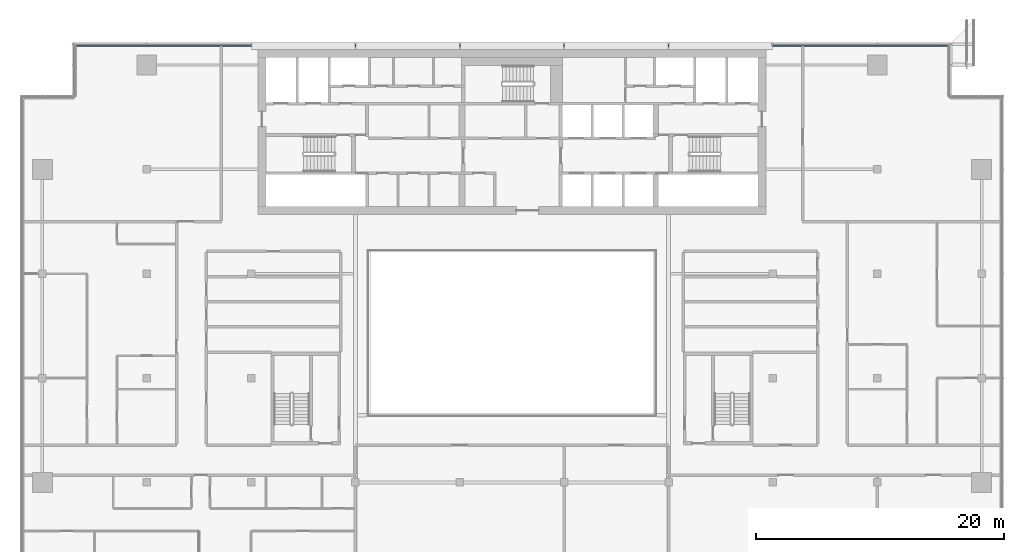
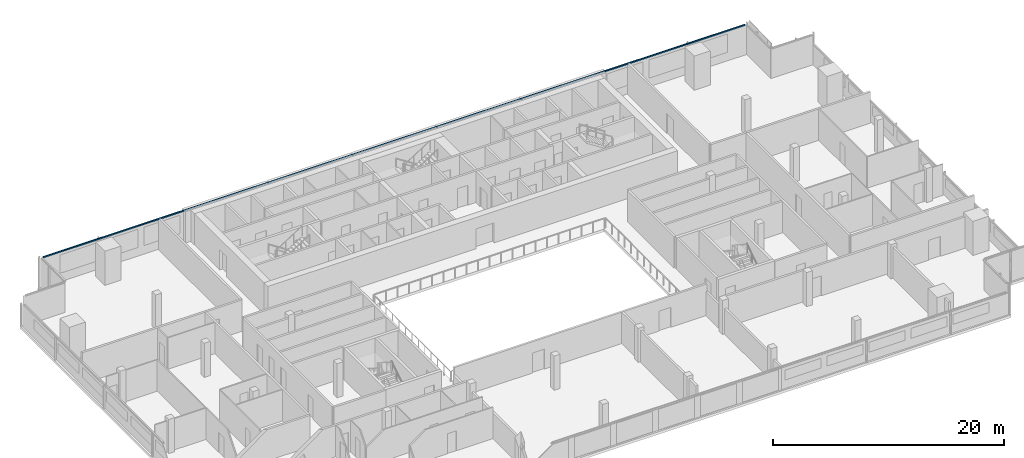
# One storey, part 10 of 25: 1 member, 1 element without a shape of its own.
"""IFC4 building model written with IfcOpenShell, lengths in metres."""

from ifc_helpers import new_model, si_unit, direction, frame, origin, origin_2d, place, context, subcontext, project, spatial, rectangle, extrude, material, material_profile, profile_set, type_object, element, aggregate, save


model = new_model("IFC4")

# Units and contexts
model_context = context("Model", 3, precision=1e-05, world=origin(), true_north=direction((0.0, 1.0)))
body_context = subcontext(model_context, "Body", "Model", "MODEL_VIEW")
ifc_project = project(units=[si_unit("LENGTHUNIT", "METRE"), si_unit("AREAUNIT", "SQUARE_METRE"), si_unit("VOLUMEUNIT", "CUBIC_METRE"), si_unit("PLANEANGLEUNIT", "RADIAN"), si_unit("MASSUNIT", "GRAM", prefix="KILO")], contexts=[model_context])

# Site, building, storey
site_placement = place(None, origin())
site = spatial("IfcSite", under=ifc_project, at=site_placement, CompositionType="ELEMENT")
building_placement = place(site_placement, origin())
building = spatial("IfcBuilding", under=site, at=building_placement, Name="Saffron Gate Tower", CompositionType="ELEMENT")
storey_placement = place(building_placement, frame((0.0, 0.0, 248.699951171875)))
storey = spatial("IfcBuildingStorey", under=building, at=storey_placement, Name="L61", CompositionType="ELEMENT", Elevation=248.699951171875)

# Curtain wall, member
ifc_material = material(Name="Aluminium, bronze anodised", Category="aluminium")
curtain_wall_type = type_object("IfcCurtainWallType", Name="CWS3 curtain wall rear facade", PredefinedType="NOTDEFINED", material=ifc_material)
curtain_wall_placement = place(storey_placement, origin())
curtain_wall = element("IfcCurtainWall", 1, at=curtain_wall_placement, inside=storey, type_object=curtain_wall_type, Name="CWS3 run 7", PredefinedType="NOTDEFINED")
ifc_material_profile = material_profile(ifc_material, rectangle(XDim=0.1201171875, YDim=0.1201171875, at=origin_2d()))
ifc_profile_set = profile_set([ifc_material_profile], Name="Aluminium, bronze anodised")
member_type = type_object("IfcMemberType", Name="CWS3 head transom", PredefinedType="USERDEFINED", material=ifc_profile_set)
member_placement = place(storey_placement, frame((122.632080078125, 75.35205078125, 3.239990234375), z_axis=(-1.0, 0.0, 0.0), x_axis=(0.0, -1.0, 0.0)))
member = element("IfcMember", 2, at=member_placement, type_object=member_type, Name="CWS3 head transom", ObjectType="TRANSOM", PredefinedType="USERDEFINED", context=body_context, shape_type="SweptSolid", body=[
    extrude(rectangle(XDim=0.1201171875, YDim=0.1201171875, at=origin_2d()), origin(), (0.0, 0.0, 1.0), 70.06396484375),
])
aggregate(curtain_wall, [member])

save(model, "model.ifc")
